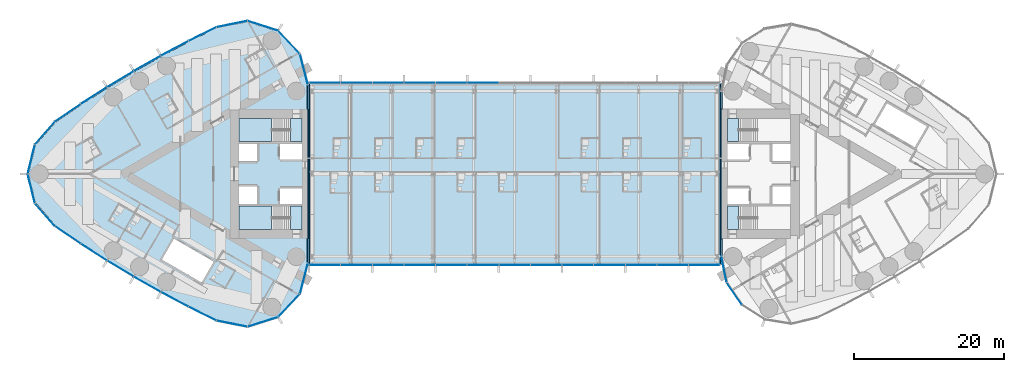
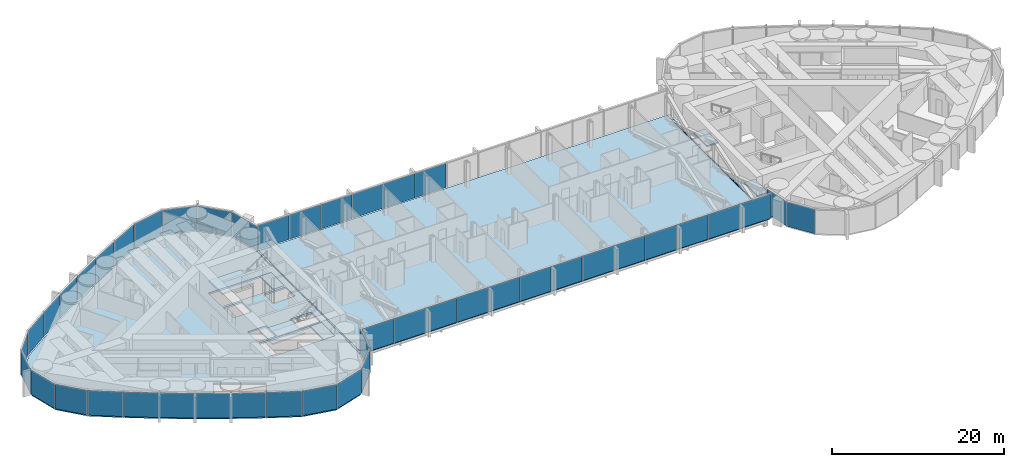
# One storey, part 12 of 22: 47 plates, 8 slabs, 8 elements without a shape of their own.
"""IFC4 building model written with IfcOpenShell, lengths in metres."""

from ifc_helpers import new_model, si_unit, direction, frame, origin, origin_2d, place, context, subcontext, project, spatial, polyline, rectangle, outline, extrude, material, layer, layer_set, type_object, element, aggregate, save


model = new_model("IFC4")

# Units and contexts
model_context = context("Model", 3, precision=1e-05, world=origin(), true_north=direction((0.0, 1.0)))
body_context = subcontext(model_context, "Body", "Model", "MODEL_VIEW")
ifc_project = project(units=[si_unit("LENGTHUNIT", "METRE"), si_unit("AREAUNIT", "SQUARE_METRE"), si_unit("VOLUMEUNIT", "CUBIC_METRE"), si_unit("PLANEANGLEUNIT", "RADIAN"), si_unit("MASSUNIT", "GRAM", prefix="KILO")], contexts=[model_context])

# Site, building, storey
site_placement = place(None, origin())
site = spatial("IfcSite", under=ifc_project, at=site_placement, CompositionType="ELEMENT")
building_placement = place(site_placement, origin())
building = spatial("IfcBuilding", under=site, at=building_placement, Name="Lancet Gate Hotel", CompositionType="ELEMENT")
storey_placement = place(building_placement, frame((0.0, 0.0, 233.300048828125)))
storey = spatial("IfcBuildingStorey", under=building, at=storey_placement, Name="L62", CompositionType="ELEMENT", Elevation=233.300048828125)

# Curtain wall, plates
ifc_material_1 = material(Name="Aluminium curtain wall", Category="aluminium")
curtain_wall_type_1 = type_object("IfcCurtainWallType", Name="Bridge block curtain wall", PredefinedType="USERDEFINED", material=ifc_material_1)
curtain_wall_1_placement = place(storey_placement, origin())
curtain_wall_1 = element("IfcCurtainWall", 1, at=curtain_wall_1_placement, inside=storey, type_object=curtain_wall_type_1, Name="Bridge block L62 curtain wall S", ObjectType="UNITISED CURTAIN WALL", PredefinedType="USERDEFINED")
ifc_material_2 = material(Name="Glass double glazed unit 8-16-6", Category="glass")
ifc_layer_1 = layer(ifc_material_2, 0.030029296875)
ifc_layer_set_1 = layer_set([ifc_layer_1], Name="Block vision panel")
plate_type_1 = type_object("IfcPlateType", Name="Block vision panel", PredefinedType="CURTAIN_PANEL", material=ifc_layer_set_1)
plate_1_placement = place(storey_placement, frame((-25.24609375, -12.1201171875, 0.0), z_axis=(0.0, 0.0, 1.0), x_axis=(1.0, 0.0, 0.0)))
plate_1 = element("IfcPlate", 2, at=plate_1_placement, type_object=plate_type_1, Name="Bridge block L62 curtain wall S panel 1", PredefinedType="CURTAIN_PANEL", context=body_context, shape_type="SweptSolid", body=[
    extrude(rectangle(XDim=4.142578125, YDim=0.030029296875, at=origin_2d()), origin(), (0.0, 0.0, 1.0), 3.449951171875),
])
plate_2_placement = place(storey_placement, frame((-21.03857421875, -12.1201171875, 0.0), z_axis=(0.0, 0.0, 1.0), x_axis=(1.0, 0.0, 0.0)))
plate_2 = element("IfcPlate", 3, at=plate_2_placement, type_object=plate_type_1, Name="Bridge block L62 curtain wall S panel 2", PredefinedType="CURTAIN_PANEL", context=body_context, shape_type="SweptSolid", body=[
    extrude(rectangle(XDim=4.142578125, YDim=0.030029296875, at=origin_2d()), origin(), (0.0, 0.0, 1.0), 3.449951171875),
])
plate_3_placement = place(storey_placement, frame((-16.830810546875, -12.1201171875, 0.0), z_axis=(0.0, 0.0, 1.0), x_axis=(1.0, 0.0, 0.0)))
plate_3 = element("IfcPlate", 4, at=plate_3_placement, type_object=plate_type_1, Name="Bridge block L62 curtain wall S panel 3", PredefinedType="CURTAIN_PANEL", context=body_context, shape_type="SweptSolid", body=[
    extrude(rectangle(XDim=4.142578125, YDim=0.030029296875, at=origin_2d()), origin(), (0.0, 0.0, 1.0), 3.449951171875),
])
plate_4_placement = place(storey_placement, frame((-12.623046875, -12.1201171875, 0.0), z_axis=(0.0, 0.0, 1.0), x_axis=(1.0, 0.0, 0.0)))
plate_4 = element("IfcPlate", 5, at=plate_4_placement, type_object=plate_type_1, Name="Bridge block L62 curtain wall S panel 4", PredefinedType="CURTAIN_PANEL", context=body_context, shape_type="SweptSolid", body=[
    extrude(rectangle(XDim=4.142578125, YDim=0.030029296875, at=origin_2d()), origin(), (0.0, 0.0, 1.0), 3.449951171875),
])
plate_5_placement = place(storey_placement, frame((-8.415283203125, -12.1201171875, 0.0), z_axis=(0.0, 0.0, 1.0), x_axis=(1.0, 0.0, 0.0)))
plate_5 = element("IfcPlate", 6, at=plate_5_placement, type_object=plate_type_1, Name="Bridge block L62 curtain wall S panel 5", PredefinedType="CURTAIN_PANEL", context=body_context, shape_type="SweptSolid", body=[
    extrude(rectangle(XDim=4.142578125, YDim=0.030029296875, at=origin_2d()), origin(), (0.0, 0.0, 1.0), 3.449951171875),
])
plate_6_placement = place(storey_placement, frame((-4.207763671875, -12.1201171875, 0.0), z_axis=(0.0, 0.0, 1.0), x_axis=(1.0, 0.0, 0.0)))
plate_6 = element("IfcPlate", 7, at=plate_6_placement, type_object=plate_type_1, Name="Bridge block L62 curtain wall S panel 6", PredefinedType="CURTAIN_PANEL", context=body_context, shape_type="SweptSolid", body=[
    extrude(rectangle(XDim=4.142578125, YDim=0.030029296875, at=origin_2d()), origin(), (0.0, 0.0, 1.0), 3.449951171875),
])
plate_7_placement = place(storey_placement, frame((0.0, -12.1201171875, 0.0), z_axis=(0.0, 0.0, 1.0), x_axis=(1.0, 0.0, 0.0)))
plate_7 = element("IfcPlate", 8, at=plate_7_placement, type_object=plate_type_1, Name="Bridge block L62 curtain wall S panel 7", PredefinedType="CURTAIN_PANEL", context=body_context, shape_type="SweptSolid", body=[
    extrude(rectangle(XDim=4.142578125, YDim=0.030029296875, at=origin_2d()), origin(), (0.0, 0.0, 1.0), 3.449951171875),
])
plate_8_placement = place(storey_placement, frame((4.207763671875, -12.1201171875, 0.0), z_axis=(0.0, 0.0, 1.0), x_axis=(1.0, 0.0, 0.0)))
plate_8 = element("IfcPlate", 9, at=plate_8_placement, type_object=plate_type_1, Name="Bridge block L62 curtain wall S panel 8", PredefinedType="CURTAIN_PANEL", context=body_context, shape_type="SweptSolid", body=[
    extrude(rectangle(XDim=4.142578125, YDim=0.030029296875, at=origin_2d()), origin(), (0.0, 0.0, 1.0), 3.449951171875),
])
plate_9_placement = place(storey_placement, frame((8.415283203125, -12.1201171875, 0.0), z_axis=(0.0, 0.0, 1.0), x_axis=(1.0, 0.0, 0.0)))
plate_9 = element("IfcPlate", 10, at=plate_9_placement, type_object=plate_type_1, Name="Bridge block L62 curtain wall S panel 9", PredefinedType="CURTAIN_PANEL", context=body_context, shape_type="SweptSolid", body=[
    extrude(rectangle(XDim=4.142578125, YDim=0.030029296875, at=origin_2d()), origin(), (0.0, 0.0, 1.0), 3.449951171875),
])
plate_10_placement = place(storey_placement, frame((12.623046875, -12.1201171875, 0.0), z_axis=(0.0, 0.0, 1.0), x_axis=(1.0, 0.0, 0.0)))
plate_10 = element("IfcPlate", 11, at=plate_10_placement, type_object=plate_type_1, Name="Bridge block L62 curtain wall S panel 10", PredefinedType="CURTAIN_PANEL", context=body_context, shape_type="SweptSolid", body=[
    extrude(rectangle(XDim=4.142578125, YDim=0.030029296875, at=origin_2d()), origin(), (0.0, 0.0, 1.0), 3.449951171875),
])
plate_11_placement = place(storey_placement, frame((16.830810546875, -12.1201171875, 0.0), z_axis=(0.0, 0.0, 1.0), x_axis=(1.0, 0.0, 0.0)))
plate_11 = element("IfcPlate", 12, at=plate_11_placement, type_object=plate_type_1, Name="Bridge block L62 curtain wall S panel 11", PredefinedType="CURTAIN_PANEL", context=body_context, shape_type="SweptSolid", body=[
    extrude(rectangle(XDim=4.142578125, YDim=0.030029296875, at=origin_2d()), origin(), (0.0, 0.0, 1.0), 3.449951171875),
])
plate_12_placement = place(storey_placement, frame((21.03857421875, -12.1201171875, 0.0), z_axis=(0.0, 0.0, 1.0), x_axis=(1.0, 0.0, 0.0)))
plate_12 = element("IfcPlate", 13, at=plate_12_placement, type_object=plate_type_1, Name="Bridge block L62 curtain wall S panel 12", PredefinedType="CURTAIN_PANEL", context=body_context, shape_type="SweptSolid", body=[
    extrude(rectangle(XDim=4.142578125, YDim=0.030029296875, at=origin_2d()), origin(), (0.0, 0.0, 1.0), 3.449951171875),
])
plate_13_placement = place(storey_placement, frame((25.24609375, -12.1201171875, 0.0), z_axis=(0.0, 0.0, 1.0), x_axis=(1.0, 0.0, 0.0)))
plate_13 = element("IfcPlate", 14, at=plate_13_placement, type_object=plate_type_1, Name="Bridge block L62 curtain wall S panel 13", PredefinedType="CURTAIN_PANEL", context=body_context, shape_type="SweptSolid", body=[
    extrude(rectangle(XDim=4.142578125, YDim=0.030029296875, at=origin_2d()), origin(), (0.0, 0.0, 1.0), 3.449951171875),
])
aggregate(curtain_wall_1, [plate_1, plate_2, plate_3, plate_4, plate_5, plate_6, plate_7, plate_8, plate_9, plate_10, plate_11, plate_12, plate_13])

curtain_wall_2_placement = place(storey_placement, origin())
curtain_wall_2 = element("IfcCurtainWall", 15, at=curtain_wall_2_placement, inside=storey, type_object=curtain_wall_type_1, Name="Bridge block L62 curtain wall N", ObjectType="UNITISED CURTAIN WALL", PredefinedType="USERDEFINED")
plate_14_placement = place(storey_placement, frame((-4.207763671875, 12.1201171875, 0.0), z_axis=(0.0, 0.0, 1.0), x_axis=(-1.0, 0.0, 0.0)))
plate_14 = element("IfcPlate", 16, at=plate_14_placement, type_object=plate_type_1, Name="Bridge block L62 curtain wall N panel 8", PredefinedType="CURTAIN_PANEL", context=body_context, shape_type="SweptSolid", body=[
    extrude(rectangle(XDim=4.142578125, YDim=0.030029296875, at=origin_2d()), origin(), (0.0, 0.0, 1.0), 3.449951171875),
])
plate_15_placement = place(storey_placement, frame((-8.415283203125, 12.1201171875, 0.0), z_axis=(0.0, 0.0, 1.0), x_axis=(-1.0, 0.0, 0.0)))
plate_15 = element("IfcPlate", 17, at=plate_15_placement, type_object=plate_type_1, Name="Bridge block L62 curtain wall N panel 9", PredefinedType="CURTAIN_PANEL", context=body_context, shape_type="SweptSolid", body=[
    extrude(rectangle(XDim=4.142578125, YDim=0.030029296875, at=origin_2d()), origin(), (0.0, 0.0, 1.0), 3.449951171875),
])
plate_16_placement = place(storey_placement, frame((-12.623046875, 12.1201171875, 0.0), z_axis=(0.0, 0.0, 1.0), x_axis=(-1.0, 0.0, 0.0)))
plate_16 = element("IfcPlate", 18, at=plate_16_placement, type_object=plate_type_1, Name="Bridge block L62 curtain wall N panel 10", PredefinedType="CURTAIN_PANEL", context=body_context, shape_type="SweptSolid", body=[
    extrude(rectangle(XDim=4.142578125, YDim=0.030029296875, at=origin_2d()), origin(), (0.0, 0.0, 1.0), 3.449951171875),
])
plate_17_placement = place(storey_placement, frame((-16.830810546875, 12.1201171875, 0.0), z_axis=(0.0, 0.0, 1.0), x_axis=(-1.0, 0.0, 0.0)))
plate_17 = element("IfcPlate", 19, at=plate_17_placement, type_object=plate_type_1, Name="Bridge block L62 curtain wall N panel 11", PredefinedType="CURTAIN_PANEL", context=body_context, shape_type="SweptSolid", body=[
    extrude(rectangle(XDim=4.142578125, YDim=0.030029296875, at=origin_2d()), origin(), (0.0, 0.0, 1.0), 3.449951171875),
])
plate_18_placement = place(storey_placement, frame((-21.03857421875, 12.1201171875, 0.0), z_axis=(0.0, 0.0, 1.0), x_axis=(-1.0, 0.0, 0.0)))
plate_18 = element("IfcPlate", 20, at=plate_18_placement, type_object=plate_type_1, Name="Bridge block L62 curtain wall N panel 12", PredefinedType="CURTAIN_PANEL", context=body_context, shape_type="SweptSolid", body=[
    extrude(rectangle(XDim=4.142578125, YDim=0.030029296875, at=origin_2d()), origin(), (0.0, 0.0, 1.0), 3.449951171875),
])
plate_19_placement = place(storey_placement, frame((-25.24609375, 12.1201171875, 0.0), z_axis=(0.0, 0.0, 1.0), x_axis=(-1.0, 0.0, 0.0)))
plate_19 = element("IfcPlate", 21, at=plate_19_placement, type_object=plate_type_1, Name="Bridge block L62 curtain wall N panel 13", PredefinedType="CURTAIN_PANEL", context=body_context, shape_type="SweptSolid", body=[
    extrude(rectangle(XDim=4.142578125, YDim=0.030029296875, at=origin_2d()), origin(), (0.0, 0.0, 1.0), 3.449951171875),
])
aggregate(curtain_wall_2, [plate_14, plate_15, plate_16, plate_17, plate_18, plate_19])

# Slabs
ifc_material_3 = material(Name="Concrete C40/50", Category="concrete")
ifc_layer_2 = layer(ifc_material_3, 0.199951171875)
ifc_layer_set_2 = layer_set([ifc_layer_2], Name="Composite floor slab 200")
slab_type_1 = type_object("IfcSlabType", Name="Composite floor slab 200", PredefinedType="FLOOR", material=ifc_layer_set_2)
slab_1_placement = place(storey_placement, frame((0.0, 0.0, -0.199951171875)))
element("IfcSlab", 22, at=slab_1_placement, inside=storey, type_object=slab_type_1, Name="Bridge block L62 floor slab", PredefinedType="FLOOR", context=body_context, shape_type="SweptSolid", body=[
    extrude(outline(polyline([(27.35009765625, -12.0), (27.35009765625, 12.0), (-27.35009765625, 12.0), (-27.35009765625, -12.0), (27.35009765625, -12.0)])), origin(), (0.0, 0.0, 1.0), 0.199951171875),
])
ifc_material_4 = material(Name="Concrete C50/60", Category="concrete")
ifc_layer_3 = layer(ifc_material_4, 0.25)
ifc_layer_set_3 = layer_set([ifc_layer_3], Name="Floor slab 250")
slab_type_2 = type_object("IfcSlabType", Name="Floor slab 250", PredefinedType="FLOOR", material=ifc_layer_set_3)
slab_2_placement = place(storey_placement, frame((0.0, 0.0, -0.25)))
element("IfcSlab", 23, at=slab_2_placement, inside=storey, type_object=slab_type_2, Name="T1 L62 floor slab", PredefinedType="FLOOR", context=body_context, shape_type="SweptSolid", body=[
    extrude(outline(polyline([(-27.5, 8.60009765625), (-27.6201171875, 8.60009765625), (-27.6201171875, 11.84619140625), (-28.668701171875, 15.912353515625), (-31.542236328125, 18.95263671875), (-35.52783203125, 20.22412109375), (-39.645751953125, 19.40673828125), (-43.344482421875, 17.565673828125), (-47.005126953125, 15.618896484375), (-50.61181640625, 13.574462890625), (-54.162353515625, 11.43359375), (-57.654052734375, 9.197998046875), (-61.072998046875, 6.876708984375), (-63.71240234375, 3.871337890625), (-64.66064453125, 0.0), (-63.71240234375, -3.871337890625), (-61.072998046875, -6.876708984375), (-57.654052734375, -9.197998046875), (-54.162353515625, -11.43359375), (-50.61181640625, -13.574462890625), (-47.005126953125, -15.618896484375), (-43.344482421875, -17.565673828125), (-39.645751953125, -19.40673828125), (-35.52783203125, -20.22412109375), (-31.542236328125, -18.95263671875), (-28.668701171875, -15.912353515625), (-27.6201171875, -11.84619140625), (-27.6201171875, -8.60009765625), (-27.5, -8.60009765625), (-27.5, -8.199951171875), (-27.5, 8.199951171875), (-27.5, 8.60009765625)]), holes=[polyline([(-36.699951171875, 7.39990234375), (-36.699951171875, 4.300048828125), (-28.300048828125, 4.300048828125), (-28.300048828125, 7.39990234375), (-36.699951171875, 7.39990234375)]), polyline([(-28.300048828125, 4.0), (-31.199951171875, 4.0), (-31.199951171875, 1.89990234375), (-28.300048828125, 1.89990234375), (-28.300048828125, 4.0)]), polyline([(-34.25, 4.0), (-36.699951171875, 4.0), (-36.699951171875, 1.64990234375), (-34.25, 1.64990234375), (-34.25, 4.0)]), polyline([(-36.699951171875, -1.64990234375), (-36.699951171875, -4.0), (-34.25, -4.0), (-34.25, -1.64990234375), (-36.699951171875, -1.64990234375)]), polyline([(-28.300048828125, -1.89990234375), (-31.199951171875, -1.89990234375), (-31.199951171875, -4.0), (-28.300048828125, -4.0), (-28.300048828125, -1.89990234375)]), polyline([(-28.300048828125, -4.300048828125), (-36.699951171875, -4.300048828125), (-36.699951171875, -7.39990234375), (-28.300048828125, -7.39990234375), (-28.300048828125, -4.300048828125)]), polyline([(-45.319091796875, -8.631103515625), (-46.9189453125, -11.402099609375), (-41.635986328125, -14.451904296875), (-40.035888671875, -11.680908203125), (-45.319091796875, -8.631103515625)])]), origin(), (0.0, 0.0, 1.0), 0.25),
])

# Plates
ifc_material_5 = material(Name="Aluminium chequer plate", Category="aluminium")
ifc_layer_4 = layer(ifc_material_5, 0.014892578125)
ifc_layer_set_4 = layer_set([ifc_layer_4], Name="Movement joint cover plate 15")
plate_type_2 = type_object("IfcPlateType", Name="Movement joint cover plate 15", PredefinedType="SHEET", material=ifc_layer_set_4)
plate_20_placement = place(storey_placement, frame((0.0, 0.0, -0.01513671875)))
element("IfcPlate", 24, at=plate_20_placement, inside=storey, type_object=plate_type_2, Name="Movement joint cover plate T1 L62", PredefinedType="SHEET", context=body_context, shape_type="SweptSolid", body=[
    extrude(outline(polyline([(-27.35009765625, 12.0), (-27.65966796875, 12.0), (-27.6201171875, 11.84619140625), (-27.6201171875, 8.60009765625), (-27.5, 8.60009765625), (-27.5, 8.199951171875), (-27.5, -8.199951171875), (-27.5, -8.60009765625), (-27.6201171875, -8.60009765625), (-27.6201171875, -11.84619140625), (-27.65966796875, -12.0), (-27.35009765625, -12.0), (-27.35009765625, 12.0)])), origin(), (0.0, 0.0, 1.0), 0.01513671875),
])
plate_21_placement = place(storey_placement, frame((0.0, 0.0, -0.01513671875)))
element("IfcPlate", 25, at=plate_21_placement, inside=storey, type_object=plate_type_2, Name="Movement joint cover plate T2 L62", PredefinedType="SHEET", context=body_context, shape_type="SweptSolid", body=[
    extrude(outline(polyline([(27.35009765625, -12.0), (27.836669921875, -12.0), (27.6201171875, -10.93603515625), (27.6201171875, -8.60009765625), (27.5, -8.60009765625), (27.5, -8.199951171875), (27.5, 8.199951171875), (27.5, 8.60009765625), (27.6201171875, 8.60009765625), (27.6201171875, 10.93603515625), (27.836669921875, 12.0), (27.35009765625, 12.0), (27.35009765625, -12.0)])), origin(), (0.0, 0.0, 1.0), 0.01513671875),
])

# Stair, slabs
ifc_material_6 = material(Name="Exit stair 20 risers 1500")
stair_type = type_object("IfcStairType", Name="Exit stair 20 risers 1500", PredefinedType="HALF_TURN_STAIR", material=ifc_material_6)
stair_1_placement = place(storey_placement, origin())
stair_1 = element("IfcStair", 26, at=stair_1_placement, inside=storey, type_object=stair_type, Name="T1 stair 1 L62", PredefinedType="HALF_TURN_STAIR")
ifc_material_7 = material(Name="Concrete C40/50", Category="concrete")
ifc_layer_5 = layer(ifc_material_7, 0.199951171875)
ifc_layer_set_5 = layer_set([ifc_layer_5], Name="Stair landing 200")
slab_type_3 = type_object("IfcSlabType", Name="Stair landing 200", PredefinedType="LANDING", material=ifc_layer_set_5)
slab_3_placement = place(storey_placement, frame((0.0, 0.0, -0.199951171875)))
slab_3 = element("IfcSlab", 27, at=slab_3_placement, type_object=slab_type_3, Name="ST1 landing 1", PredefinedType="LANDING", context=body_context, shape_type="SweptSolid", body=[
    extrude(outline(polyline([(-28.300048828125, 7.39990234375), (-29.800048828125, 7.39990234375), (-29.800048828125, 4.300048828125), (-28.300048828125, 4.300048828125), (-28.300048828125, 7.39990234375)])), origin(), (0.0, 0.0, 1.0), 0.199951171875),
])
slab_4_placement = place(storey_placement, frame((0.0, 0.0, 1.599853515625)))
slab_4 = element("IfcSlab", 28, at=slab_4_placement, type_object=slab_type_3, Name="ST1 landing 2", PredefinedType="LANDING", context=body_context, shape_type="SweptSolid", body=[
    extrude(outline(polyline([(-32.320068359375, 7.39990234375), (-36.699951171875, 7.39990234375), (-36.699951171875, 4.300048828125), (-32.320068359375, 4.300048828125), (-32.320068359375, 7.39990234375)])), origin(), (0.0, 0.0, 1.0), 0.2001953125),
])
aggregate(stair_1, [slab_3, slab_4])

stair_2_placement = place(storey_placement, origin())
stair_2 = element("IfcStair", 29, at=stair_2_placement, inside=storey, type_object=stair_type, Name="T1 stair 2 L62", PredefinedType="HALF_TURN_STAIR")
slab_5_placement = place(storey_placement, frame((0.0, 0.0, -0.199951171875)))
slab_5 = element("IfcSlab", 30, at=slab_5_placement, type_object=slab_type_3, Name="ST2 landing 1", PredefinedType="LANDING", context=body_context, shape_type="SweptSolid", body=[
    extrude(outline(polyline([(-28.300048828125, -4.300048828125), (-29.800048828125, -4.300048828125), (-29.800048828125, -7.39990234375), (-28.300048828125, -7.39990234375), (-28.300048828125, -4.300048828125)])), origin(), (0.0, 0.0, 1.0), 0.199951171875),
])
slab_6_placement = place(storey_placement, frame((0.0, 0.0, 1.599853515625)))
slab_6 = element("IfcSlab", 31, at=slab_6_placement, type_object=slab_type_3, Name="ST2 landing 2", PredefinedType="LANDING", context=body_context, shape_type="SweptSolid", body=[
    extrude(outline(polyline([(-32.320068359375, -4.300048828125), (-36.699951171875, -4.300048828125), (-36.699951171875, -7.39990234375), (-32.320068359375, -7.39990234375), (-32.320068359375, -4.300048828125)])), origin(), (0.0, 0.0, 1.0), 0.2001953125),
])
aggregate(stair_2, [slab_5, slab_6])

# Stair, slab
stair_3_placement = place(storey_placement, origin())
stair_3 = element("IfcStair", 32, at=stair_3_placement, inside=storey, type_object=stair_type, Name="T2 stair 1 L62", PredefinedType="HALF_TURN_STAIR")
slab_7_placement = place(storey_placement, frame((0.0, 0.0, -0.199951171875)))
slab_7 = element("IfcSlab", 33, at=slab_7_placement, type_object=slab_type_3, Name="ST3 landing 1", PredefinedType="LANDING", context=body_context, shape_type="SweptSolid", body=[
    extrude(outline(polyline([(28.300048828125, -7.39990234375), (29.800048828125, -7.39990234375), (29.800048828125, -4.300048828125), (28.300048828125, -4.300048828125), (28.300048828125, -7.39990234375)])), origin(), (0.0, 0.0, 1.0), 0.199951171875),
])
aggregate(stair_3, [slab_7])

stair_4_placement = place(storey_placement, origin())
stair_4 = element("IfcStair", 34, at=stair_4_placement, inside=storey, type_object=stair_type, Name="T2 stair 2 L62", PredefinedType="HALF_TURN_STAIR")
slab_8_placement = place(storey_placement, frame((0.0, 0.0, -0.199951171875)))
slab_8 = element("IfcSlab", 35, at=slab_8_placement, type_object=slab_type_3, Name="ST4 landing 1", PredefinedType="LANDING", context=body_context, shape_type="SweptSolid", body=[
    extrude(outline(polyline([(28.300048828125, 4.300048828125), (29.800048828125, 4.300048828125), (29.800048828125, 7.39990234375), (28.300048828125, 7.39990234375), (28.300048828125, 4.300048828125)])), origin(), (0.0, 0.0, 1.0), 0.199951171875),
])
aggregate(stair_4, [slab_8])

# Curtain wall, plates
ifc_material_8 = material(Name="Aluminium curtain wall", Category="aluminium")
curtain_wall_type_2 = type_object("IfcCurtainWallType", Name="Tower unitised curtain wall", PredefinedType="USERDEFINED", material=ifc_material_8)
curtain_wall_3_placement = place(storey_placement, origin())
curtain_wall_3 = element("IfcCurtainWall", 36, at=curtain_wall_3_placement, inside=storey, type_object=curtain_wall_type_2, Name="T1 L62 curtain wall 1", ObjectType="UNITISED CURTAIN WALL", PredefinedType="USERDEFINED")
ifc_material_9 = material(Name="Glass double glazed unit 8-16-6", Category="glass")
ifc_layer_6 = layer(ifc_material_9, 0.030029296875)
ifc_layer_set_6 = layer_set([ifc_layer_6], Name="Vision panel double glazed")
plate_type_3 = type_object("IfcPlateType", Name="Vision panel double glazed", PredefinedType="CURTAIN_PANEL", material=ifc_layer_set_6)
plate_22_placement = place(storey_placement, frame((-28.030029296875, 13.9169921875, 0.0), z_axis=(0.0, 0.0, 1.0), x_axis=(-0.249725827997, 0.968316586056, 0.0)))
plate_22 = element("IfcPlate", 37, at=plate_22_placement, type_object=plate_type_3, Name="T1 L62 curtain wall 1 panel 1", PredefinedType="CURTAIN_PANEL", context=body_context, shape_type="SweptSolid", body=[
    extrude(rectangle(XDim=4.180419921875, YDim=0.030029296875, at=origin_2d()), origin(), (0.0, 0.0, 1.0), 3.449951171875),
])
plate_23_placement = place(storey_placement, frame((-30.018310546875, 17.514892578125, 0.0), z_axis=(0.0, 0.0, 1.0), x_axis=(-0.686882887577, 0.726768118972, 0.0)))
plate_23 = element("IfcPlate", 38, at=plate_23_placement, type_object=plate_type_3, Name="T1 L62 curtain wall 1 panel 2", PredefinedType="CURTAIN_PANEL", context=body_context, shape_type="SweptSolid", body=[
    extrude(rectangle(XDim=4.180419921875, YDim=0.030029296875, at=origin_2d()), origin(), (0.0, 0.0, 1.0), 3.449951171875),
])
plate_24_placement = place(storey_placement, frame((-33.49853515625, 19.702880859375, 0.0), z_axis=(0.0, 0.0, 1.0), x_axis=(-0.952695666833, 0.303925922549, 0.0)))
plate_24 = element("IfcPlate", 39, at=plate_24_placement, type_object=plate_type_3, Name="T1 L62 curtain wall 1 panel 3", PredefinedType="CURTAIN_PANEL", context=body_context, shape_type="SweptSolid", body=[
    extrude(rectangle(XDim=4.180419921875, YDim=0.030029296875, at=origin_2d()), origin(), (0.0, 0.0, 1.0), 3.449951171875),
])
plate_25_placement = place(storey_placement, frame((-37.602783203125, 19.9345703125, 0.0), z_axis=(0.0, 0.0, 1.0), x_axis=(-0.980856647866, -0.194731189942, 0.0)))
plate_25 = element("IfcPlate", 40, at=plate_25_placement, type_object=plate_type_3, Name="T1 L62 curtain wall 1 panel 4", PredefinedType="CURTAIN_PANEL", context=body_context, shape_type="SweptSolid", body=[
    extrude(rectangle(XDim=4.180419921875, YDim=0.030029296875, at=origin_2d()), origin(), (0.0, 0.0, 1.0), 3.449951171875),
])
plate_26_placement = place(storey_placement, frame((-41.5419921875, 18.5966796875, 0.0), z_axis=(0.0, 0.0, 1.0), x_axis=(-0.895234030262, -0.445596264639, 0.0)))
plate_26 = element("IfcPlate", 41, at=plate_26_placement, type_object=plate_type_3, Name="T1 L62 curtain wall 1 panel 5", PredefinedType="CURTAIN_PANEL", context=body_context, shape_type="SweptSolid", body=[
    extrude(rectangle(XDim=4.084228515625, YDim=0.030029296875, at=origin_2d()), origin(), (0.0, 0.0, 1.0), 3.449951171875),
])
plate_27_placement = place(storey_placement, frame((-45.23095703125, 16.6982421875, 0.0), z_axis=(0.0, 0.0, 1.0), x_axis=(-0.882915941615, -0.469531085277, 0.0)))
plate_27 = element("IfcPlate", 42, at=plate_27_placement, type_object=plate_type_3, Name="T1 L62 curtain wall 1 panel 6", PredefinedType="CURTAIN_PANEL", context=body_context, shape_type="SweptSolid", body=[
    extrude(rectangle(XDim=4.084228515625, YDim=0.030029296875, at=origin_2d()), origin(), (0.0, 0.0, 1.0), 3.449951171875),
])
plate_28_placement = place(storey_placement, frame((-48.86767578125, 14.701171875, 0.0), z_axis=(0.0, 0.0, 1.0), x_axis=(-0.869958082404, -0.493125678565, 0.0)))
plate_28 = element("IfcPlate", 43, at=plate_28_placement, type_object=plate_type_3, Name="T1 L62 curtain wall 1 panel 7", PredefinedType="CURTAIN_PANEL", context=body_context, shape_type="SweptSolid", body=[
    extrude(rectangle(XDim=4.084228515625, YDim=0.030029296875, at=origin_2d()), origin(), (0.0, 0.0, 1.0), 3.449951171875),
])
plate_29_placement = place(storey_placement, frame((-52.44921875, 12.606689453125, 0.0), z_axis=(0.0, 0.0, 1.0), x_axis=(-0.85636984205, -0.516362947574, 0.0)))
plate_29 = element("IfcPlate", 44, at=plate_29_placement, type_object=plate_type_3, Name="T1 L62 curtain wall 1 panel 8", PredefinedType="CURTAIN_PANEL", context=body_context, shape_type="SweptSolid", body=[
    extrude(rectangle(XDim=4.084228515625, YDim=0.030029296875, at=origin_2d()), origin(), (0.0, 0.0, 1.0), 3.449951171875),
])
plate_30_placement = place(storey_placement, frame((-55.972900390625, 10.416748046875, 0.0), z_axis=(0.0, 0.0, 1.0), x_axis=(-0.842161066725, -0.539226054352, 0.0)))
plate_30 = element("IfcPlate", 45, at=plate_30_placement, type_object=plate_type_3, Name="T1 L62 curtain wall 1 panel 9", PredefinedType="CURTAIN_PANEL", context=body_context, shape_type="SweptSolid", body=[
    extrude(rectangle(XDim=4.084228515625, YDim=0.030029296875, at=origin_2d()), origin(), (0.0, 0.0, 1.0), 3.449951171875),
])
plate_31_placement = place(storey_placement, frame((-59.4365234375, 8.1328125, 0.0), z_axis=(0.0, 0.0, 1.0), x_axis=(-0.827342052281, -0.561698432014, 0.0)))
plate_31 = element("IfcPlate", 46, at=plate_31_placement, type_object=plate_type_3, Name="T1 L62 curtain wall 1 panel 10", PredefinedType="CURTAIN_PANEL", context=body_context, shape_type="SweptSolid", body=[
    extrude(rectangle(XDim=4.084228515625, YDim=0.030029296875, at=origin_2d()), origin(), (0.0, 0.0, 1.0), 3.449951171875),
])
plate_32_placement = place(storey_placement, frame((-62.487548828125, 5.447998046875, 0.0), z_axis=(0.0, 0.0, 1.0), x_axis=(-0.659891635916, -0.751360784742, 0.0)))
plate_32 = element("IfcPlate", 47, at=plate_32_placement, type_object=plate_type_3, Name="T1 L62 curtain wall 1 panel 11", PredefinedType="CURTAIN_PANEL", context=body_context, shape_type="SweptSolid", body=[
    extrude(rectangle(XDim=3.979736328125, YDim=0.030029296875, at=origin_2d()), origin(), (0.0, 0.0, 1.0), 3.449951171875),
])
plate_33_placement = place(storey_placement, frame((-64.30322265625, 1.96435546875, 0.0), z_axis=(0.0, 0.0, 1.0), x_axis=(-0.237921018621, -0.971284504612, 0.0)))
plate_33 = element("IfcPlate", 48, at=plate_33_placement, type_object=plate_type_3, Name="T1 L62 curtain wall 1 panel 12", PredefinedType="CURTAIN_PANEL", context=body_context, shape_type="SweptSolid", body=[
    extrude(rectangle(XDim=3.979736328125, YDim=0.030029296875, at=origin_2d()), origin(), (0.0, 0.0, 1.0), 3.449951171875),
])
plate_34_placement = place(storey_placement, frame((-64.30322265625, -1.96435546875, 0.0), z_axis=(0.0, 0.0, 1.0), x_axis=(0.237921018621, -0.971284504612, 0.0)))
plate_34 = element("IfcPlate", 49, at=plate_34_placement, type_object=plate_type_3, Name="T1 L62 curtain wall 1 panel 13", PredefinedType="CURTAIN_PANEL", context=body_context, shape_type="SweptSolid", body=[
    extrude(rectangle(XDim=3.979736328125, YDim=0.030029296875, at=origin_2d()), origin(), (0.0, 0.0, 1.0), 3.449951171875),
])
plate_35_placement = place(storey_placement, frame((-62.487548828125, -5.447998046875, 0.0), z_axis=(0.0, 0.0, 1.0), x_axis=(0.659891635916, -0.751360784742, 0.0)))
plate_35 = element("IfcPlate", 50, at=plate_35_placement, type_object=plate_type_3, Name="T1 L62 curtain wall 1 panel 14", PredefinedType="CURTAIN_PANEL", context=body_context, shape_type="SweptSolid", body=[
    extrude(rectangle(XDim=3.979736328125, YDim=0.030029296875, at=origin_2d()), origin(), (0.0, 0.0, 1.0), 3.449951171875),
])
plate_36_placement = place(storey_placement, frame((-59.4365234375, -8.1328125, 0.0), z_axis=(0.0, 0.0, 1.0), x_axis=(0.827342052281, -0.561698432014, 0.0)))
plate_36 = element("IfcPlate", 51, at=plate_36_placement, type_object=plate_type_3, Name="T1 L62 curtain wall 1 panel 15", PredefinedType="CURTAIN_PANEL", context=body_context, shape_type="SweptSolid", body=[
    extrude(rectangle(XDim=4.084228515625, YDim=0.030029296875, at=origin_2d()), origin(), (0.0, 0.0, 1.0), 3.449951171875),
])
plate_37_placement = place(storey_placement, frame((-55.972900390625, -10.416748046875, 0.0), z_axis=(0.0, 0.0, 1.0), x_axis=(0.842161066725, -0.539226054352, 0.0)))
plate_37 = element("IfcPlate", 52, at=plate_37_placement, type_object=plate_type_3, Name="T1 L62 curtain wall 1 panel 16", PredefinedType="CURTAIN_PANEL", context=body_context, shape_type="SweptSolid", body=[
    extrude(rectangle(XDim=4.084228515625, YDim=0.030029296875, at=origin_2d()), origin(), (0.0, 0.0, 1.0), 3.449951171875),
])
plate_38_placement = place(storey_placement, frame((-52.44921875, -12.606689453125, 0.0), z_axis=(0.0, 0.0, 1.0), x_axis=(0.85636984205, -0.516362947574, 0.0)))
plate_38 = element("IfcPlate", 53, at=plate_38_placement, type_object=plate_type_3, Name="T1 L62 curtain wall 1 panel 17", PredefinedType="CURTAIN_PANEL", context=body_context, shape_type="SweptSolid", body=[
    extrude(rectangle(XDim=4.084228515625, YDim=0.030029296875, at=origin_2d()), origin(), (0.0, 0.0, 1.0), 3.449951171875),
])
plate_39_placement = place(storey_placement, frame((-48.86767578125, -14.701171875, 0.0), z_axis=(0.0, 0.0, 1.0), x_axis=(0.869958082404, -0.493125678565, 0.0)))
plate_39 = element("IfcPlate", 54, at=plate_39_placement, type_object=plate_type_3, Name="T1 L62 curtain wall 1 panel 18", PredefinedType="CURTAIN_PANEL", context=body_context, shape_type="SweptSolid", body=[
    extrude(rectangle(XDim=4.084228515625, YDim=0.030029296875, at=origin_2d()), origin(), (0.0, 0.0, 1.0), 3.449951171875),
])
plate_40_placement = place(storey_placement, frame((-45.23095703125, -16.6982421875, 0.0), z_axis=(0.0, 0.0, 1.0), x_axis=(0.882915941615, -0.469531085277, 0.0)))
plate_40 = element("IfcPlate", 55, at=plate_40_placement, type_object=plate_type_3, Name="T1 L62 curtain wall 1 panel 19", PredefinedType="CURTAIN_PANEL", context=body_context, shape_type="SweptSolid", body=[
    extrude(rectangle(XDim=4.084228515625, YDim=0.030029296875, at=origin_2d()), origin(), (0.0, 0.0, 1.0), 3.449951171875),
])
plate_41_placement = place(storey_placement, frame((-41.5419921875, -18.5966796875, 0.0), z_axis=(0.0, 0.0, 1.0), x_axis=(0.895234030262, -0.445596264639, 0.0)))
plate_41 = element("IfcPlate", 56, at=plate_41_placement, type_object=plate_type_3, Name="T1 L62 curtain wall 1 panel 20", PredefinedType="CURTAIN_PANEL", context=body_context, shape_type="SweptSolid", body=[
    extrude(rectangle(XDim=4.084228515625, YDim=0.030029296875, at=origin_2d()), origin(), (0.0, 0.0, 1.0), 3.449951171875),
])
plate_42_placement = place(storey_placement, frame((-37.602783203125, -19.9345703125, 0.0), z_axis=(0.0, 0.0, 1.0), x_axis=(0.980856647866, -0.194731189942, 0.0)))
plate_42 = element("IfcPlate", 57, at=plate_42_placement, type_object=plate_type_3, Name="T1 L62 curtain wall 1 panel 21", PredefinedType="CURTAIN_PANEL", context=body_context, shape_type="SweptSolid", body=[
    extrude(rectangle(XDim=4.180419921875, YDim=0.030029296875, at=origin_2d()), origin(), (0.0, 0.0, 1.0), 3.449951171875),
])
plate_43_placement = place(storey_placement, frame((-33.49853515625, -19.702880859375, 0.0), z_axis=(0.0, 0.0, 1.0), x_axis=(0.952695666833, 0.303925922549, 0.0)))
plate_43 = element("IfcPlate", 58, at=plate_43_placement, type_object=plate_type_3, Name="T1 L62 curtain wall 1 panel 22", PredefinedType="CURTAIN_PANEL", context=body_context, shape_type="SweptSolid", body=[
    extrude(rectangle(XDim=4.180419921875, YDim=0.030029296875, at=origin_2d()), origin(), (0.0, 0.0, 1.0), 3.449951171875),
])
plate_44_placement = place(storey_placement, frame((-30.018310546875, -17.514892578125, 0.0), z_axis=(0.0, 0.0, 1.0), x_axis=(0.686882887577, 0.726768118972, 0.0)))
plate_44 = element("IfcPlate", 59, at=plate_44_placement, type_object=plate_type_3, Name="T1 L62 curtain wall 1 panel 23", PredefinedType="CURTAIN_PANEL", context=body_context, shape_type="SweptSolid", body=[
    extrude(rectangle(XDim=4.180419921875, YDim=0.030029296875, at=origin_2d()), origin(), (0.0, 0.0, 1.0), 3.449951171875),
])
plate_45_placement = place(storey_placement, frame((-28.030029296875, -13.9169921875, 0.0), z_axis=(0.0, 0.0, 1.0), x_axis=(0.249725827997, 0.968316586056, 0.0)))
plate_45 = element("IfcPlate", 60, at=plate_45_placement, type_object=plate_type_3, Name="T1 L62 curtain wall 1 panel 24", PredefinedType="CURTAIN_PANEL", context=body_context, shape_type="SweptSolid", body=[
    extrude(rectangle(XDim=4.180419921875, YDim=0.030029296875, at=origin_2d()), origin(), (0.0, 0.0, 1.0), 3.449951171875),
])
aggregate(curtain_wall_3, [plate_22, plate_23, plate_24, plate_25, plate_26, plate_27, plate_28, plate_29, plate_30, plate_31, plate_32, plate_33, plate_34, plate_35, plate_36, plate_37, plate_38, plate_39, plate_40, plate_41, plate_42, plate_43, plate_44, plate_45])

curtain_wall_4_placement = place(storey_placement, origin())
curtain_wall_4 = element("IfcCurtainWall", 61, at=curtain_wall_4_placement, inside=storey, type_object=curtain_wall_type_2, Name="T2 L62 curtain wall 1", ObjectType="UNITISED CURTAIN WALL", PredefinedType="USERDEFINED")
plate_46_placement = place(storey_placement, frame((27.8583984375, -12.707763671875, 0.0), z_axis=(0.0, 0.0, 1.0), x_axis=(0.199533486841, -0.979891008036, 0.0)))
plate_46 = element("IfcPlate", 62, at=plate_46_placement, type_object=plate_type_3, Name="T2 L62 curtain wall 1 panel 1", PredefinedType="CURTAIN_PANEL", context=body_context, shape_type="SweptSolid", body=[
    extrude(rectangle(XDim=3.526611328125, YDim=0.030029296875, at=origin_2d()), origin(), (0.0, 0.0, 1.0), 3.449951171875),
])
plate_47_placement = place(storey_placement, frame((29.234619140625, -15.947021484375, 0.0), z_axis=(0.0, 0.0, 1.0), x_axis=(0.566823864908, -0.823839005007, 0.0)))
plate_47 = element("IfcPlate", 63, at=plate_47_placement, type_object=plate_type_3, Name="T2 L62 curtain wall 1 panel 2", PredefinedType="CURTAIN_PANEL", context=body_context, shape_type="SweptSolid", body=[
    extrude(rectangle(XDim=3.526611328125, YDim=0.030029296875, at=origin_2d()), origin(), (0.0, 0.0, 1.0), 3.449951171875),
])
aggregate(curtain_wall_4, [plate_46, plate_47])

save(model, "model.ifc")
